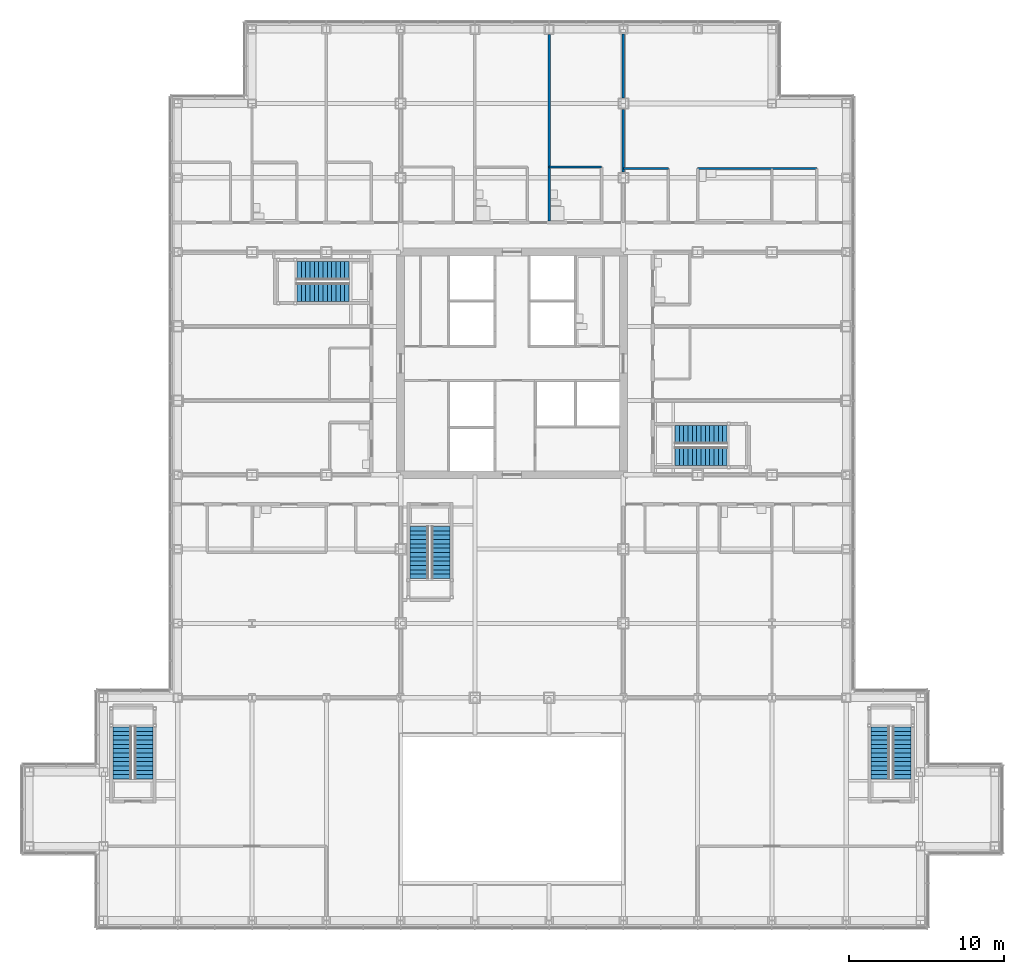
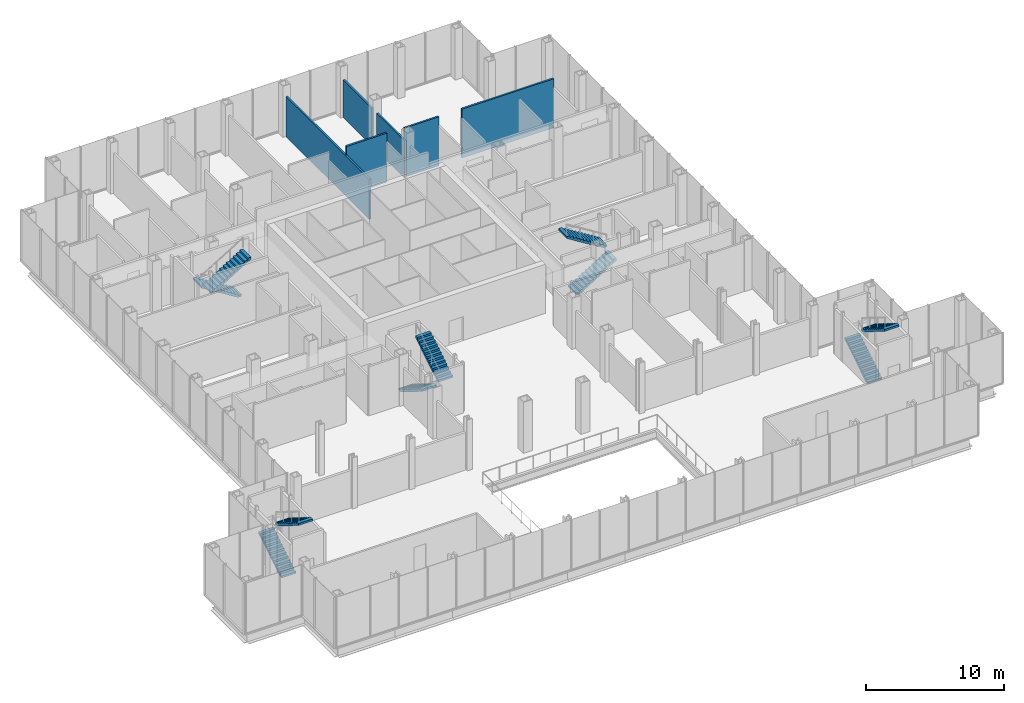
# One storey, part 23 of 25: 10 stair flights, 6 walls, 5 elements without a shape of their own.
"""IFC4 building model written with IfcOpenShell, lengths in metres."""

from ifc_helpers import new_model, si_unit, direction, frame, frame_2d, origin, place, context, subcontext, project, spatial, polyline, rectangle, outline, extrude, material, layer, layer_set, type_object, element, aggregate, save


model = new_model("IFC4")

# Units and contexts
model_context = context("Model", 3, precision=1e-05, world=origin(), true_north=direction((0.0, 1.0)))
body_context = subcontext(model_context, "Body", "Model", "MODEL_VIEW")
ifc_project = project(units=[si_unit("LENGTHUNIT", "METRE"), si_unit("AREAUNIT", "SQUARE_METRE"), si_unit("VOLUMEUNIT", "CUBIC_METRE"), si_unit("PLANEANGLEUNIT", "RADIAN"), si_unit("MASSUNIT", "GRAM", prefix="KILO")], contexts=[model_context])

# Site, building, storey
site_placement = place(None, origin())
site = spatial("IfcSite", under=ifc_project, at=site_placement, CompositionType="ELEMENT")
building_placement = place(site_placement, origin())
building = spatial("IfcBuilding", under=site, at=building_placement, Name="Kvirike Care Tower", CompositionType="ELEMENT")
storey_placement = place(building_placement, frame((0.0, 0.0, 9.0)))
storey = spatial("IfcBuildingStorey", under=building, at=storey_placement, Name="L02", CompositionType="ELEMENT", Elevation=9.0)

# Walls
ifc_material_1 = material(Name="Plasterboard partition", Category="gypsum")
ifc_layer = layer(ifc_material_1, 0.14990234375)
ifc_layer_set = layer_set([ifc_layer], Name="CLINIC PARTITION 150")
wall_type = type_object("IfcWallType", Name="CLINIC PARTITION 150", PredefinedType="PARTITIONING", material=ifc_layer_set)
wall_1_placement = place(storey_placement, frame((27.39990234375, 48.699951171875, 0.0), z_axis=(0.0, 0.0, 1.0), x_axis=(-1.0, 0.0, 0.0)))
element("IfcWall", 1, at=wall_1_placement, inside=storey, type_object=wall_type, Name="Clinic Partition 150 L02", PredefinedType="PARTITIONING", context=body_context, shape_type="SweptSolid", body=[
    extrude(rectangle(XDim=3.39990234375, YDim=0.14990234375, at=frame_2d((1.699951171875, 0.0))), origin(), (0.0, 0.0, 1.0), 4.330078125),
])
wall_2_placement = place(storey_placement, frame((24.0, 57.2548828125, 0.0), z_axis=(0.0, 0.0, 1.0), x_axis=(0.0, -1.0, 0.0)))
element("IfcWall", 2, at=wall_2_placement, inside=storey, type_object=wall_type, Name="Clinic Partition 150 L02", PredefinedType="PARTITIONING", context=body_context, shape_type="SweptSolid", body=[
    extrude(rectangle(XDim=12.054931640625, YDim=0.14990234375, at=frame_2d((6.02734375, 0.0))), origin(), (0.0, 0.0, 1.0), 3.550048828125),
])
wall_3_placement = place(storey_placement, frame((41.300048828125, 48.60009765625, 0.0), z_axis=(0.0, 0.0, 1.0), x_axis=(-1.0, 0.0, 0.0)))
element("IfcWall", 3, at=wall_3_placement, inside=storey, type_object=wall_type, Name="Clinic Partition 150 L02", PredefinedType="PARTITIONING", context=body_context, shape_type="SweptSolid", body=[
    extrude(rectangle(XDim=7.699951171875, YDim=0.14990234375, at=frame_2d((3.85009765625, 0.0))), origin(), (0.0, 0.0, 1.0), 4.330078125),
])
wall_4_placement = place(storey_placement, frame((31.699951171875, 48.60009765625, 0.0), z_axis=(0.0, 0.0, 1.0), x_axis=(-1.0, 0.0, 0.0)))
element("IfcWall", 4, at=wall_4_placement, inside=storey, type_object=wall_type, Name="Clinic Partition 150 L02", PredefinedType="PARTITIONING", context=body_context, shape_type="SweptSolid", body=[
    extrude(rectangle(XDim=2.89990234375, YDim=0.14990234375, at=frame_2d((1.449951171875, 0.0))), origin(), (0.0, 0.0, 1.0), 4.330078125),
])
wall_5_placement = place(storey_placement, frame((28.800048828125, 48.3701171875, 0.0), z_axis=(0.0, 0.0, 1.0), x_axis=(0.0, 1.0, 0.0)))
element("IfcWall", 5, at=wall_5_placement, inside=storey, type_object=wall_type, Name="Clinic Partition 150 L02", PredefinedType="PARTITIONING", context=body_context, shape_type="SweptSolid", body=[
    extrude(rectangle(XDim=4.059814453125, YDim=0.14990234375, at=frame_2d((2.02978515625, 0.0))), origin(), (0.0, 0.0, 1.0), 3.320068359375),
])
wall_6_placement = place(storey_placement, frame((28.800048828125, 53.169921875, 0.0), z_axis=(0.0, 0.0, 1.0), x_axis=(0.0, 1.0, 0.0)))
element("IfcWall", 6, at=wall_6_placement, inside=storey, type_object=wall_type, Name="Clinic Partition 150 L02", PredefinedType="PARTITIONING", context=body_context, shape_type="SweptSolid", body=[
    extrude(rectangle(XDim=4.110107421875, YDim=0.14990234375, at=frame_2d((2.05517578125, 0.0))), origin(), (0.0, 0.0, 1.0), 3.320068359375),
])

# Stair, stair flights
ifc_material_2 = material(Name="Concrete C35/45", Category="concrete")
stair_type = type_object("IfcStairType", Name="STAIR 26 RISERS", PredefinedType="HALF_TURN_STAIR", material=ifc_material_2)
stair_1_placement = place(storey_placement, origin())
stair_1 = element("IfcStair", 7, at=stair_1_placement, inside=storey, type_object=stair_type, Name="Stair 1 L02", PredefinedType="HALF_TURN_STAIR")
ifc_material_3 = material(Name="Concrete C35/45", Category="concrete")
stair_flight_type = type_object("IfcStairFlightType", Name="FLIGHT 13 RISERS", PredefinedType="STRAIGHT", material=ifc_material_3)
stair_flight_1_placement = place(storey_placement, frame((11.06005859375, 42.0, 0.0), z_axis=(0.0, 0.0, 1.0), x_axis=(-1.0, 0.0, 0.0)))
stair_flight_1 = element("IfcStairFlight", 8, at=stair_flight_1_placement, type_object=stair_flight_type, Name="Stair S1 flight 1 L02-L03", NumberOfRisers=13, NumberOfTreads=12, PredefinedType="STRAIGHT", RiserHeight=0.173076923, TreadLength=0.28, context=body_context, shape_type="SweptSolid", body=[
    extrude(outline(polyline([(0.0, 0.0), (0.0, 0.173095703125), (0.280029296875, 0.173095703125), (0.280029296875, 0.34619140625), (0.56005859375, 0.34619140625), (0.56005859375, 0.519287109375), (0.840087890625, 0.519287109375), (0.840087890625, 0.6923828125), (1.1201171875, 0.6923828125), (1.1201171875, 0.865478515625), (1.39990234375, 0.865478515625), (1.39990234375, 1.03857421875), (1.679931640625, 1.03857421875), (1.679931640625, 1.21142578125), (1.9599609375, 1.21142578125), (1.9599609375, 1.384521484375), (2.239990234375, 1.384521484375), (2.239990234375, 1.5576171875), (2.52001953125, 1.5576171875), (2.52001953125, 1.730712890625), (2.800048828125, 1.730712890625), (2.800048828125, 1.90380859375), (3.080078125, 1.90380859375), (3.080078125, 2.076904296875), (3.360107421875, 2.076904296875), (3.360107421875, 2.25), (3.360107421875, 1.900634765625), (0.28515625, 0.0), (0.0, 0.0)])), frame((0.0, 0.60009765625, 0.0), z_axis=(0.0, -1.0, 0.0), x_axis=(1.0, 0.0, 0.0)), (0.0, 0.0, 1.0), 1.199951171875),
])
stair_flight_2_placement = place(storey_placement, frame((7.699951171875, 40.60009765625, 2.25), z_axis=(0.0, 0.0, 1.0), x_axis=(1.0, 0.0, 0.0)))
stair_flight_2 = element("IfcStairFlight", 9, at=stair_flight_2_placement, type_object=stair_flight_type, Name="Stair S1 flight 2 L02-L03", NumberOfRisers=13, NumberOfTreads=12, PredefinedType="STRAIGHT", RiserHeight=0.173076923, TreadLength=0.28, context=body_context, shape_type="SweptSolid", body=[
    extrude(outline(polyline([(0.0, 0.0), (0.0, 0.173095703125), (0.280029296875, 0.173095703125), (0.280029296875, 0.34619140625), (0.56005859375, 0.34619140625), (0.56005859375, 0.519287109375), (0.840087890625, 0.519287109375), (0.840087890625, 0.6923828125), (1.1201171875, 0.6923828125), (1.1201171875, 0.865478515625), (1.39990234375, 0.865478515625), (1.39990234375, 1.03857421875), (1.679931640625, 1.03857421875), (1.679931640625, 1.21142578125), (1.9599609375, 1.21142578125), (1.9599609375, 1.384521484375), (2.239990234375, 1.384521484375), (2.239990234375, 1.5576171875), (2.52001953125, 1.5576171875), (2.52001953125, 1.730712890625), (2.800048828125, 1.730712890625), (2.800048828125, 1.90380859375), (3.080078125, 1.90380859375), (3.080078125, 2.076904296875), (3.360107421875, 2.076904296875), (3.360107421875, 2.25), (3.360107421875, 1.900634765625), (0.28515625, 0.0), (0.0, 0.0)])), frame((0.0, 0.60009765625, 0.0), z_axis=(0.0, -1.0, 0.0), x_axis=(1.0, 0.0, 0.0)), (0.0, 0.0, 1.0), 1.199951171875),
])
aggregate(stair_1, [stair_flight_1, stair_flight_2])

stair_2_placement = place(storey_placement, origin())
stair_2 = element("IfcStair", 10, at=stair_2_placement, inside=storey, type_object=stair_type, Name="Stair 2 L02", PredefinedType="HALF_TURN_STAIR")
stair_flight_3_placement = place(storey_placement, frame((32.139892578125, 30.0, 0.0), z_axis=(0.0, 0.0, 1.0), x_axis=(1.0, 0.0, 0.0)))
stair_flight_3 = element("IfcStairFlight", 11, at=stair_flight_3_placement, type_object=stair_flight_type, Name="Stair S2 flight 1 L02-L03", NumberOfRisers=13, NumberOfTreads=12, PredefinedType="STRAIGHT", RiserHeight=0.173076923, TreadLength=0.28, context=body_context, shape_type="SweptSolid", body=[
    extrude(outline(polyline([(0.0, 0.0), (0.0, 0.173095703125), (0.280029296875, 0.173095703125), (0.280029296875, 0.34619140625), (0.56005859375, 0.34619140625), (0.56005859375, 0.519287109375), (0.840087890625, 0.519287109375), (0.840087890625, 0.6923828125), (1.1201171875, 0.6923828125), (1.1201171875, 0.865478515625), (1.39990234375, 0.865478515625), (1.39990234375, 1.03857421875), (1.679931640625, 1.03857421875), (1.679931640625, 1.21142578125), (1.9599609375, 1.21142578125), (1.9599609375, 1.384521484375), (2.239990234375, 1.384521484375), (2.239990234375, 1.5576171875), (2.52001953125, 1.5576171875), (2.52001953125, 1.730712890625), (2.800048828125, 1.730712890625), (2.800048828125, 1.90380859375), (3.080078125, 1.90380859375), (3.080078125, 2.076904296875), (3.360107421875, 2.076904296875), (3.360107421875, 2.25), (3.360107421875, 1.900634765625), (0.28515625, 0.0), (0.0, 0.0)])), frame((0.0, 0.60009765625, 0.0), z_axis=(0.0, -1.0, 0.0), x_axis=(1.0, 0.0, 0.0)), (0.0, 0.0, 1.0), 1.199951171875),
])
stair_flight_4_placement = place(storey_placement, frame((35.5, 31.39990234375, 2.25), z_axis=(0.0, 0.0, 1.0), x_axis=(-1.0, 0.0, 0.0)))
stair_flight_4 = element("IfcStairFlight", 12, at=stair_flight_4_placement, type_object=stair_flight_type, Name="Stair S2 flight 2 L02-L03", NumberOfRisers=13, NumberOfTreads=12, PredefinedType="STRAIGHT", RiserHeight=0.173076923, TreadLength=0.28, context=body_context, shape_type="SweptSolid", body=[
    extrude(outline(polyline([(0.0, 0.0), (0.0, 0.173095703125), (0.280029296875, 0.173095703125), (0.280029296875, 0.34619140625), (0.56005859375, 0.34619140625), (0.56005859375, 0.519287109375), (0.840087890625, 0.519287109375), (0.840087890625, 0.6923828125), (1.1201171875, 0.6923828125), (1.1201171875, 0.865478515625), (1.39990234375, 0.865478515625), (1.39990234375, 1.03857421875), (1.679931640625, 1.03857421875), (1.679931640625, 1.21142578125), (1.9599609375, 1.21142578125), (1.9599609375, 1.384521484375), (2.239990234375, 1.384521484375), (2.239990234375, 1.5576171875), (2.52001953125, 1.5576171875), (2.52001953125, 1.730712890625), (2.800048828125, 1.730712890625), (2.800048828125, 1.90380859375), (3.080078125, 1.90380859375), (3.080078125, 2.076904296875), (3.360107421875, 2.076904296875), (3.360107421875, 2.25), (3.360107421875, 1.900634765625), (0.28515625, 0.0), (0.0, 0.0)])), frame((0.0, 0.60009765625, 0.0), z_axis=(0.0, -1.0, 0.0), x_axis=(1.0, 0.0, 0.0)), (0.0, 0.0, 1.0), 1.199951171875),
])
aggregate(stair_2, [stair_flight_3, stair_flight_4])

stair_3_placement = place(storey_placement, origin())
stair_3 = element("IfcStair", 13, at=stair_3_placement, inside=storey, type_object=stair_type, Name="Stair 3 L02", PredefinedType="HALF_TURN_STAIR")
stair_flight_5_placement = place(storey_placement, frame((-3.60009765625, 9.139892578125, 0.0), z_axis=(0.0, 0.0, 1.0), x_axis=(0.0, 1.0, 0.0)))
stair_flight_5 = element("IfcStairFlight", 14, at=stair_flight_5_placement, type_object=stair_flight_type, Name="Stair S3 flight 1 L02-L03", NumberOfRisers=13, NumberOfTreads=12, PredefinedType="STRAIGHT", RiserHeight=0.173076923, TreadLength=0.28, context=body_context, shape_type="SweptSolid", body=[
    extrude(outline(polyline([(0.0, 0.0), (0.0, 0.173095703125), (0.280029296875, 0.173095703125), (0.280029296875, 0.34619140625), (0.56005859375, 0.34619140625), (0.56005859375, 0.519287109375), (0.840087890625, 0.519287109375), (0.840087890625, 0.6923828125), (1.1201171875, 0.6923828125), (1.1201171875, 0.865478515625), (1.39990234375, 0.865478515625), (1.39990234375, 1.03857421875), (1.679931640625, 1.03857421875), (1.679931640625, 1.21142578125), (1.9599609375, 1.21142578125), (1.9599609375, 1.384521484375), (2.239990234375, 1.384521484375), (2.239990234375, 1.5576171875), (2.52001953125, 1.5576171875), (2.52001953125, 1.730712890625), (2.800048828125, 1.730712890625), (2.800048828125, 1.90380859375), (3.080078125, 1.90380859375), (3.080078125, 2.076904296875), (3.360107421875, 2.076904296875), (3.360107421875, 2.25), (3.360107421875, 1.900634765625), (0.28515625, 0.0), (0.0, 0.0)])), frame((0.0, 0.60009765625, 0.0), z_axis=(0.0, -1.0, 0.0), x_axis=(1.0, 0.0, 0.0)), (0.0, 0.0, 1.0), 1.199951171875),
])
stair_flight_6_placement = place(storey_placement, frame((-2.199951171875, 12.5, 2.25), z_axis=(0.0, 0.0, 1.0), x_axis=(0.0, -1.0, 0.0)))
stair_flight_6 = element("IfcStairFlight", 15, at=stair_flight_6_placement, type_object=stair_flight_type, Name="Stair S3 flight 2 L02-L03", NumberOfRisers=13, NumberOfTreads=12, PredefinedType="STRAIGHT", RiserHeight=0.173076923, TreadLength=0.28, context=body_context, shape_type="SweptSolid", body=[
    extrude(outline(polyline([(0.0, 0.0), (0.0, 0.173095703125), (0.280029296875, 0.173095703125), (0.280029296875, 0.34619140625), (0.56005859375, 0.34619140625), (0.56005859375, 0.519287109375), (0.840087890625, 0.519287109375), (0.840087890625, 0.6923828125), (1.1201171875, 0.6923828125), (1.1201171875, 0.865478515625), (1.39990234375, 0.865478515625), (1.39990234375, 1.03857421875), (1.679931640625, 1.03857421875), (1.679931640625, 1.21142578125), (1.9599609375, 1.21142578125), (1.9599609375, 1.384521484375), (2.239990234375, 1.384521484375), (2.239990234375, 1.5576171875), (2.52001953125, 1.5576171875), (2.52001953125, 1.730712890625), (2.800048828125, 1.730712890625), (2.800048828125, 1.90380859375), (3.080078125, 1.90380859375), (3.080078125, 2.076904296875), (3.360107421875, 2.076904296875), (3.360107421875, 2.25), (3.360107421875, 1.900634765625), (0.28515625, 0.0), (0.0, 0.0)])), frame((0.0, 0.60009765625, 0.0), z_axis=(0.0, -1.0, 0.0), x_axis=(1.0, 0.0, 0.0)), (0.0, 0.0, 1.0), 1.199951171875),
])
aggregate(stair_3, [stair_flight_5, stair_flight_6])

stair_4_placement = place(storey_placement, origin())
stair_4 = element("IfcStair", 16, at=stair_4_placement, inside=storey, type_object=stair_type, Name="Stair 4 L02", PredefinedType="HALF_TURN_STAIR")
stair_flight_7_placement = place(storey_placement, frame((45.39990234375, 9.139892578125, 0.0), z_axis=(0.0, 0.0, 1.0), x_axis=(0.0, 1.0, 0.0)))
stair_flight_7 = element("IfcStairFlight", 17, at=stair_flight_7_placement, type_object=stair_flight_type, Name="Stair S4 flight 1 L02-L03", NumberOfRisers=13, NumberOfTreads=12, PredefinedType="STRAIGHT", RiserHeight=0.173076923, TreadLength=0.28, context=body_context, shape_type="SweptSolid", body=[
    extrude(outline(polyline([(0.0, 0.0), (0.0, 0.173095703125), (0.280029296875, 0.173095703125), (0.280029296875, 0.34619140625), (0.56005859375, 0.34619140625), (0.56005859375, 0.519287109375), (0.840087890625, 0.519287109375), (0.840087890625, 0.6923828125), (1.1201171875, 0.6923828125), (1.1201171875, 0.865478515625), (1.39990234375, 0.865478515625), (1.39990234375, 1.03857421875), (1.679931640625, 1.03857421875), (1.679931640625, 1.21142578125), (1.9599609375, 1.21142578125), (1.9599609375, 1.384521484375), (2.239990234375, 1.384521484375), (2.239990234375, 1.5576171875), (2.52001953125, 1.5576171875), (2.52001953125, 1.730712890625), (2.800048828125, 1.730712890625), (2.800048828125, 1.90380859375), (3.080078125, 1.90380859375), (3.080078125, 2.076904296875), (3.360107421875, 2.076904296875), (3.360107421875, 2.25), (3.360107421875, 1.900634765625), (0.28515625, 0.0), (0.0, 0.0)])), frame((0.0, 0.60009765625, 0.0), z_axis=(0.0, -1.0, 0.0), x_axis=(1.0, 0.0, 0.0)), (0.0, 0.0, 1.0), 1.199951171875),
])
stair_flight_8_placement = place(storey_placement, frame((46.800048828125, 12.5, 2.25), z_axis=(0.0, 0.0, 1.0), x_axis=(0.0, -1.0, 0.0)))
stair_flight_8 = element("IfcStairFlight", 18, at=stair_flight_8_placement, type_object=stair_flight_type, Name="Stair S4 flight 2 L02-L03", NumberOfRisers=13, NumberOfTreads=12, PredefinedType="STRAIGHT", RiserHeight=0.173076923, TreadLength=0.28, context=body_context, shape_type="SweptSolid", body=[
    extrude(outline(polyline([(0.0, 0.0), (0.0, 0.173095703125), (0.280029296875, 0.173095703125), (0.280029296875, 0.34619140625), (0.56005859375, 0.34619140625), (0.56005859375, 0.519287109375), (0.840087890625, 0.519287109375), (0.840087890625, 0.6923828125), (1.1201171875, 0.6923828125), (1.1201171875, 0.865478515625), (1.39990234375, 0.865478515625), (1.39990234375, 1.03857421875), (1.679931640625, 1.03857421875), (1.679931640625, 1.21142578125), (1.9599609375, 1.21142578125), (1.9599609375, 1.384521484375), (2.239990234375, 1.384521484375), (2.239990234375, 1.5576171875), (2.52001953125, 1.5576171875), (2.52001953125, 1.730712890625), (2.800048828125, 1.730712890625), (2.800048828125, 1.90380859375), (3.080078125, 1.90380859375), (3.080078125, 2.076904296875), (3.360107421875, 2.076904296875), (3.360107421875, 2.25), (3.360107421875, 1.900634765625), (0.28515625, 0.0), (0.0, 0.0)])), frame((0.0, 0.60009765625, 0.0), z_axis=(0.0, -1.0, 0.0), x_axis=(1.0, 0.0, 0.0)), (0.0, 0.0, 1.0), 1.199951171875),
])
aggregate(stair_4, [stair_flight_7, stair_flight_8])

stair_5_placement = place(storey_placement, origin())
stair_5 = element("IfcStair", 19, at=stair_5_placement, inside=storey, type_object=stair_type, Name="Stair 5 L02", PredefinedType="HALF_TURN_STAIR")
stair_flight_9_placement = place(storey_placement, frame((15.60009765625, 25.4599609375, 0.0), z_axis=(0.0, 0.0, 1.0), x_axis=(0.0, -1.0, 0.0)))
stair_flight_9 = element("IfcStairFlight", 20, at=stair_flight_9_placement, type_object=stair_flight_type, Name="Stair S5 flight 1 L02-L03", NumberOfRisers=13, NumberOfTreads=12, PredefinedType="STRAIGHT", RiserHeight=0.173076923, TreadLength=0.28, context=body_context, shape_type="SweptSolid", body=[
    extrude(outline(polyline([(0.0, 0.0), (0.0, 0.173095703125), (0.280029296875, 0.173095703125), (0.280029296875, 0.34619140625), (0.56005859375, 0.34619140625), (0.56005859375, 0.519287109375), (0.840087890625, 0.519287109375), (0.840087890625, 0.6923828125), (1.1201171875, 0.6923828125), (1.1201171875, 0.865478515625), (1.39990234375, 0.865478515625), (1.39990234375, 1.03857421875), (1.679931640625, 1.03857421875), (1.679931640625, 1.21142578125), (1.9599609375, 1.21142578125), (1.9599609375, 1.384521484375), (2.239990234375, 1.384521484375), (2.239990234375, 1.5576171875), (2.52001953125, 1.5576171875), (2.52001953125, 1.730712890625), (2.800048828125, 1.730712890625), (2.800048828125, 1.90380859375), (3.080078125, 1.90380859375), (3.080078125, 2.076904296875), (3.360107421875, 2.076904296875), (3.360107421875, 2.25), (3.360107421875, 1.900634765625), (0.28515625, 0.0), (0.0, 0.0)])), frame((0.0, 0.60009765625, 0.0), z_axis=(0.0, -1.0, 0.0), x_axis=(1.0, 0.0, 0.0)), (0.0, 0.0, 1.0), 1.199951171875),
])
stair_flight_10_placement = place(storey_placement, frame((17.0, 22.10009765625, 2.25), z_axis=(0.0, 0.0, 1.0), x_axis=(0.0, 1.0, 0.0)))
stair_flight_10 = element("IfcStairFlight", 21, at=stair_flight_10_placement, type_object=stair_flight_type, Name="Stair S5 flight 2 L02-L03", NumberOfRisers=13, NumberOfTreads=12, PredefinedType="STRAIGHT", RiserHeight=0.173076923, TreadLength=0.28, context=body_context, shape_type="SweptSolid", body=[
    extrude(outline(polyline([(0.0, 0.0), (0.0, 0.173095703125), (0.280029296875, 0.173095703125), (0.280029296875, 0.34619140625), (0.56005859375, 0.34619140625), (0.56005859375, 0.519287109375), (0.840087890625, 0.519287109375), (0.840087890625, 0.6923828125), (1.1201171875, 0.6923828125), (1.1201171875, 0.865478515625), (1.39990234375, 0.865478515625), (1.39990234375, 1.03857421875), (1.679931640625, 1.03857421875), (1.679931640625, 1.21142578125), (1.9599609375, 1.21142578125), (1.9599609375, 1.384521484375), (2.239990234375, 1.384521484375), (2.239990234375, 1.5576171875), (2.52001953125, 1.5576171875), (2.52001953125, 1.730712890625), (2.800048828125, 1.730712890625), (2.800048828125, 1.90380859375), (3.080078125, 1.90380859375), (3.080078125, 2.076904296875), (3.360107421875, 2.076904296875), (3.360107421875, 2.25), (3.360107421875, 1.900634765625), (0.28515625, 0.0), (0.0, 0.0)])), frame((0.0, 0.60009765625, 0.0), z_axis=(0.0, -1.0, 0.0), x_axis=(1.0, 0.0, 0.0)), (0.0, 0.0, 1.0), 1.199951171875),
])
aggregate(stair_5, [stair_flight_9, stair_flight_10])

save(model, "model.ifc")
